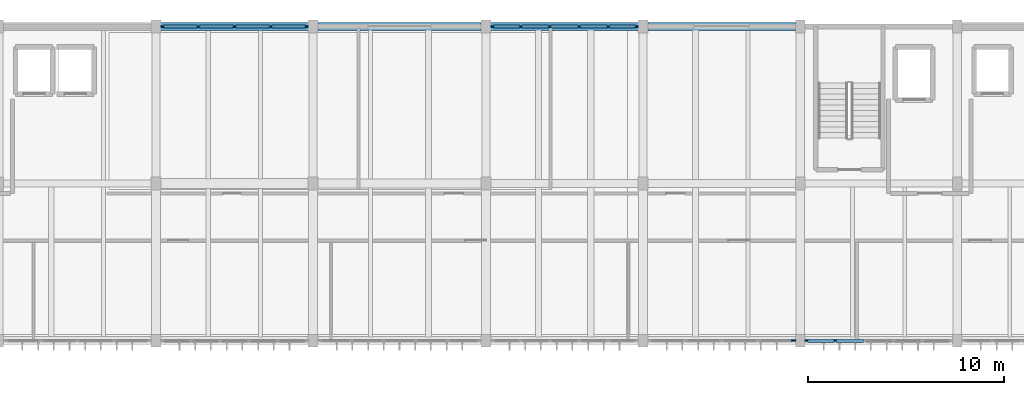
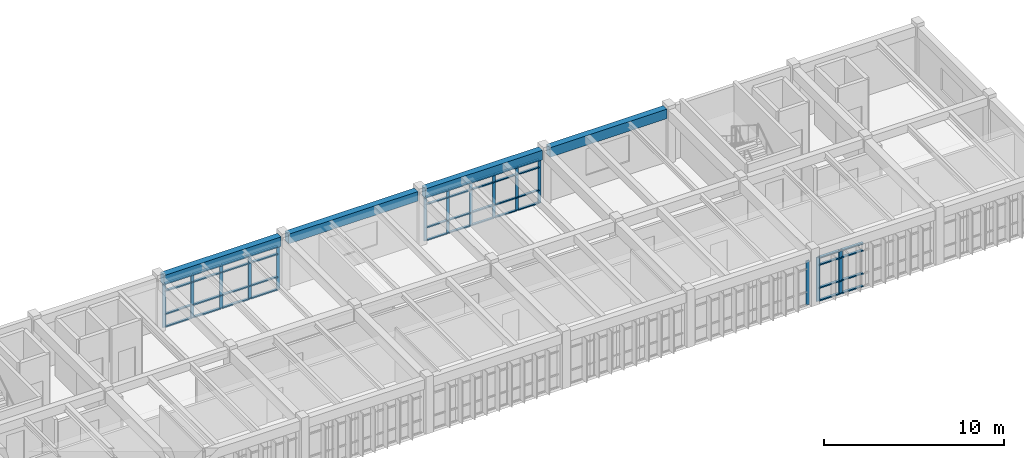
# One storey, part 6 of 15: 58 members, 4 beams, 4 elements without a shape of their own.
"""IFC4 building model written with IfcOpenShell, lengths in metres."""

from ifc_helpers import new_model, si_unit, direction, frame, origin, origin_2d, place, context, subcontext, project, spatial, rectangle, extrude, material, material_profile, profile_set, type_object, element, aggregate, save


model = new_model("IFC4")

# Units and contexts
model_context = context("Model", 3, precision=1e-05, world=origin(), true_north=direction((0.0, 1.0)))
body_context = subcontext(model_context, "Body", "Model", "MODEL_VIEW")
ifc_project = project(units=[si_unit("LENGTHUNIT", "METRE"), si_unit("AREAUNIT", "SQUARE_METRE"), si_unit("VOLUMEUNIT", "CUBIC_METRE"), si_unit("PLANEANGLEUNIT", "RADIAN"), si_unit("MASSUNIT", "GRAM", prefix="KILO")], contexts=[model_context])

# Site, building, storey
site_placement = place(None, origin())
site = spatial("IfcSite", under=ifc_project, at=site_placement, CompositionType="ELEMENT")
building_placement = place(site_placement, origin())
building = spatial("IfcBuilding", under=site, at=building_placement, Name="Tlaxcora Railside Police Headquarters", CompositionType="ELEMENT")
storey_placement = place(building_placement, frame((0.0, 0.0, 25.800048828125)))
storey = spatial("IfcBuildingStorey", under=building, at=storey_placement, Name="L06", CompositionType="ELEMENT", Elevation=25.800048828125)

# Curtain wall, members
ifc_material_1 = material(Name="Thermally broken low-E insulated glazing", Category="glass")
curtain_wall_type_1 = type_object("IfcCurtainWallType", Name="Unitised Curtain Wall Assembly CW-23", PredefinedType="NOTDEFINED", material=ifc_material_1)
curtain_wall_1_placement = place(storey_placement, origin())
curtain_wall_1 = element("IfcCurtainWall", 1, at=curtain_wall_1_placement, inside=storey, type_object=curtain_wall_type_1, Name="V5 L06 curtain wall 128", PredefinedType="NOTDEFINED")
ifc_material_2 = material(Name="Anodised aluminium framing", Category="aluminium")
ifc_material_profile_1 = material_profile(ifc_material_2, rectangle(XDim=0.080078125, YDim=0.219970703125, at=origin_2d()), Name="AL80X220")
ifc_profile_set_1 = profile_set([ifc_material_profile_1], Name="Anodised aluminium framing")
member_type_1 = type_object("IfcMemberType", Name="Curtain Wall Mullion CW-31", PredefinedType="MULLION", material=ifc_profile_set_1)
member_1_placement = place(storey_placement, frame((70.340087890625, 76.800048828125, 0.0), z_axis=(0.0, 0.0, 1.0), x_axis=(0.0, 1.0, 0.0)))
member_1 = element("IfcMember", 2, at=member_1_placement, type_object=member_type_1, Name="CW mullion 1", PredefinedType="MULLION", context=body_context, shape_type="SweptSolid", body=[
    extrude(rectangle(XDim=0.080078125, YDim=0.219970703125, at=origin_2d()), origin(), (0.0, 0.0, 1.0), 2.989990234375),
])
member_2_placement = place(storey_placement, frame((71.780029296875, 76.800048828125, 0.0), z_axis=(0.0, 0.0, 1.0), x_axis=(0.0, 1.0, 0.0)))
member_2 = element("IfcMember", 3, at=member_2_placement, type_object=member_type_1, Name="CW mullion 2", PredefinedType="MULLION", context=body_context, shape_type="SweptSolid", body=[
    extrude(rectangle(XDim=0.080078125, YDim=0.219970703125, at=origin_2d()), origin(), (0.0, 0.0, 1.0), 2.989990234375),
])

curtain_wall_type_2 = type_object("IfcCurtainWallType", Name="Unitised Curtain Wall Assembly CW-15", PredefinedType="NOTDEFINED", material=ifc_material_1)
curtain_wall_2_placement = place(storey_placement, origin())
curtain_wall_2 = element("IfcCurtainWall", 4, at=curtain_wall_2_placement, inside=storey, type_object=curtain_wall_type_2, Name="V5 L06 curtain wall 130", PredefinedType="NOTDEFINED")
ifc_material_profile_2 = material_profile(ifc_material_2, rectangle(XDim=0.074951171875, YDim=0.199951171875, at=origin_2d()), Name="AL75X200")
ifc_profile_set_2 = profile_set([ifc_material_profile_2], Name="Anodised aluminium framing")
member_type_2 = type_object("IfcMemberType", Name="Curtain Wall Mullion CW-58", PredefinedType="MULLION", material=ifc_profile_set_2)
member_3_placement = place(storey_placement, frame((61.66259765625, 92.800048828125, 0.0), z_axis=(0.0, 0.0, 1.0), x_axis=(0.0, -1.0, 0.0)))
member_3 = element("IfcMember", 5, at=member_3_placement, type_object=member_type_2, Name="CW mullion 1", PredefinedType="MULLION", context=body_context, shape_type="SweptSolid", body=[
    extrude(rectangle(XDim=0.074951171875, YDim=0.199951171875, at=origin_2d()), origin(), (0.0, 0.0, 1.0), 2.989990234375),
])
member_4_placement = place(storey_placement, frame((60.219970703125, 92.800048828125, 0.0), z_axis=(0.0, 0.0, 1.0), x_axis=(0.0, -1.0, 0.0)))
member_4 = element("IfcMember", 6, at=member_4_placement, type_object=member_type_2, Name="CW mullion 2", PredefinedType="MULLION", context=body_context, shape_type="SweptSolid", body=[
    extrude(rectangle(XDim=0.074951171875, YDim=0.199951171875, at=origin_2d()), origin(), (0.0, 0.0, 1.0), 2.989990234375),
])
member_5_placement = place(storey_placement, frame((58.739990234375, 92.800048828125, 0.0), z_axis=(0.0, 0.0, 1.0), x_axis=(0.0, -1.0, 0.0)))
member_5 = element("IfcMember", 7, at=member_5_placement, type_object=member_type_2, Name="CW mullion 3", PredefinedType="MULLION", context=body_context, shape_type="SweptSolid", body=[
    extrude(rectangle(XDim=0.074951171875, YDim=0.199951171875, at=origin_2d()), origin(), (0.0, 0.0, 1.0), 2.989990234375),
])
member_6_placement = place(storey_placement, frame((57.260009765625, 92.800048828125, 0.0), z_axis=(0.0, 0.0, 1.0), x_axis=(0.0, -1.0, 0.0)))
member_6 = element("IfcMember", 8, at=member_6_placement, type_object=member_type_2, Name="CW mullion 4", PredefinedType="MULLION", context=body_context, shape_type="SweptSolid", body=[
    extrude(rectangle(XDim=0.074951171875, YDim=0.199951171875, at=origin_2d()), origin(), (0.0, 0.0, 1.0), 2.989990234375),
])
member_7_placement = place(storey_placement, frame((55.780029296875, 92.800048828125, 0.0), z_axis=(0.0, 0.0, 1.0), x_axis=(0.0, -1.0, 0.0)))
member_7 = element("IfcMember", 9, at=member_7_placement, type_object=member_type_2, Name="CW mullion 5", PredefinedType="MULLION", context=body_context, shape_type="SweptSolid", body=[
    extrude(rectangle(XDim=0.074951171875, YDim=0.199951171875, at=origin_2d()), origin(), (0.0, 0.0, 1.0), 2.989990234375),
])
member_8_placement = place(storey_placement, frame((54.33740234375, 92.800048828125, 0.0), z_axis=(0.0, 0.0, 1.0), x_axis=(0.0, -1.0, 0.0)))
member_8 = element("IfcMember", 10, at=member_8_placement, type_object=member_type_2, Name="CW mullion 6", PredefinedType="MULLION", context=body_context, shape_type="SweptSolid", body=[
    extrude(rectangle(XDim=0.074951171875, YDim=0.199951171875, at=origin_2d()), origin(), (0.0, 0.0, 1.0), 2.989990234375),
])

# Curtain wall, member
curtain_wall_type_3 = type_object("IfcCurtainWallType", Name="Unitised Curtain Wall Assembly CW-83", PredefinedType="NOTDEFINED", material=ifc_material_1)
curtain_wall_3_placement = place(storey_placement, origin())
curtain_wall_3 = element("IfcCurtainWall", 11, at=curtain_wall_3_placement, inside=storey, type_object=curtain_wall_type_3, Name="V5 L06 curtain wall 127", PredefinedType="NOTDEFINED")
ifc_material_profile_3 = material_profile(ifc_material_2, rectangle(XDim=0.080078125, YDim=0.2099609375, at=origin_2d()), Name="AL80X210")
ifc_profile_set_3 = profile_set([ifc_material_profile_3], Name="Anodised aluminium framing")
member_type_3 = type_object("IfcMemberType", Name="Curtain Wall Mullion CW-76", PredefinedType="MULLION", material=ifc_profile_set_3)
member_9_placement = place(storey_placement, frame((69.659912109375, 76.800048828125, 0.0), z_axis=(0.0, 0.0, 1.0), x_axis=(0.0, 1.0, 0.0)))
member_9 = element("IfcMember", 12, at=member_9_placement, type_object=member_type_3, Name="CW mullion 5", PredefinedType="MULLION", context=body_context, shape_type="SweptSolid", body=[
    extrude(rectangle(XDim=0.080078125, YDim=0.2099609375, at=origin_2d()), origin(), (0.0, 0.0, 1.0), 2.989990234375),
])
aggregate(curtain_wall_3, [member_9])

# Curtain wall, members
curtain_wall_4_placement = place(storey_placement, origin())
curtain_wall_4 = element("IfcCurtainWall", 13, at=curtain_wall_4_placement, inside=storey, type_object=curtain_wall_type_3, Name="V5 L06 curtain wall 131", PredefinedType="NOTDEFINED")
member_10_placement = place(storey_placement, frame((44.860107421875, 92.800048828125, 0.0), z_axis=(0.0, 0.0, 1.0), x_axis=(0.0, -1.0, 0.0)))
member_10 = element("IfcMember", 14, at=member_10_placement, type_object=member_type_3, Name="CW mullion 1", PredefinedType="MULLION", context=body_context, shape_type="SweptSolid", body=[
    extrude(rectangle(XDim=0.080078125, YDim=0.2099609375, at=origin_2d()), origin(), (0.0, 0.0, 1.0), 2.989990234375),
])
member_11_placement = place(storey_placement, frame((43.050048828125, 92.800048828125, 0.0), z_axis=(0.0, 0.0, 1.0), x_axis=(0.0, -1.0, 0.0)))
member_11 = element("IfcMember", 15, at=member_11_placement, type_object=member_type_3, Name="CW mullion 2", PredefinedType="MULLION", context=body_context, shape_type="SweptSolid", body=[
    extrude(rectangle(XDim=0.080078125, YDim=0.2099609375, at=origin_2d()), origin(), (0.0, 0.0, 1.0), 2.989990234375),
])
member_12_placement = place(storey_placement, frame((41.199951171875, 92.800048828125, 0.0), z_axis=(0.0, 0.0, 1.0), x_axis=(0.0, -1.0, 0.0)))
member_12 = element("IfcMember", 16, at=member_12_placement, type_object=member_type_3, Name="CW mullion 3", PredefinedType="MULLION", context=body_context, shape_type="SweptSolid", body=[
    extrude(rectangle(XDim=0.080078125, YDim=0.2099609375, at=origin_2d()), origin(), (0.0, 0.0, 1.0), 2.989990234375),
])
member_13_placement = place(storey_placement, frame((39.35009765625, 92.800048828125, 0.0), z_axis=(0.0, 0.0, 1.0), x_axis=(0.0, -1.0, 0.0)))
member_13 = element("IfcMember", 17, at=member_13_placement, type_object=member_type_3, Name="CW mullion 4", PredefinedType="MULLION", context=body_context, shape_type="SweptSolid", body=[
    extrude(rectangle(XDim=0.080078125, YDim=0.2099609375, at=origin_2d()), origin(), (0.0, 0.0, 1.0), 2.989990234375),
])
member_14_placement = place(storey_placement, frame((37.5400390625, 92.800048828125, 0.0), z_axis=(0.0, 0.0, 1.0), x_axis=(0.0, -1.0, 0.0)))
member_14 = element("IfcMember", 18, at=member_14_placement, type_object=member_type_3, Name="CW mullion 5", PredefinedType="MULLION", context=body_context, shape_type="SweptSolid", body=[
    extrude(rectangle(XDim=0.080078125, YDim=0.2099609375, at=origin_2d()), origin(), (0.0, 0.0, 1.0), 2.989990234375),
])

# Member
ifc_material_profile_4 = material_profile(ifc_material_2, rectangle(XDim=0.14990234375, YDim=0.074951171875, at=origin_2d()), Name="AL75X150")
ifc_profile_set_4 = profile_set([ifc_material_profile_4], Name="Anodised aluminium framing")
member_type_4 = type_object("IfcMemberType", Name="Curtain Wall Transom CW-28", PredefinedType="USERDEFINED", material=ifc_profile_set_4)
member_15_placement = place(storey_placement, frame((61.625, 92.800048828125, 0.037353515625), z_axis=(-1.0, 0.0, 0.0), x_axis=(0.0, -1.0, 0.0)))
member_15 = element("IfcMember", 19, at=member_15_placement, type_object=member_type_4, Name="CW transom 1.1", ObjectType="TRANSOM", PredefinedType="USERDEFINED", context=body_context, shape_type="SweptSolid", body=[
    extrude(rectangle(XDim=0.14990234375, YDim=0.074951171875, at=origin_2d()), origin(), (0.0, 0.0, 1.0), 1.367431640625),
])

member_16_placement = place(storey_placement, frame((61.625, 92.800048828125, 0.89990234375), z_axis=(-1.0, 0.0, 0.0), x_axis=(0.0, -1.0, 0.0)))
member_16 = element("IfcMember", 20, at=member_16_placement, type_object=member_type_4, Name="CW transom 1.2", ObjectType="TRANSOM", PredefinedType="USERDEFINED", context=body_context, shape_type="SweptSolid", body=[
    extrude(rectangle(XDim=0.14990234375, YDim=0.074951171875, at=origin_2d()), origin(), (0.0, 0.0, 1.0), 1.367431640625),
])

member_17_placement = place(storey_placement, frame((61.625, 92.800048828125, 2.4599609375), z_axis=(-1.0, 0.0, 0.0), x_axis=(0.0, -1.0, 0.0)))
member_17 = element("IfcMember", 21, at=member_17_placement, type_object=member_type_4, Name="CW transom 1.3", ObjectType="TRANSOM", PredefinedType="USERDEFINED", context=body_context, shape_type="SweptSolid", body=[
    extrude(rectangle(XDim=0.14990234375, YDim=0.074951171875, at=origin_2d()), origin(), (0.0, 0.0, 1.0), 1.367431640625),
])

member_18_placement = place(storey_placement, frame((61.625, 92.800048828125, 2.952392578125), z_axis=(-1.0, 0.0, 0.0), x_axis=(0.0, -1.0, 0.0)))
member_18 = element("IfcMember", 22, at=member_18_placement, type_object=member_type_4, Name="CW transom 1.4", ObjectType="TRANSOM", PredefinedType="USERDEFINED", context=body_context, shape_type="SweptSolid", body=[
    extrude(rectangle(XDim=0.14990234375, YDim=0.074951171875, at=origin_2d()), origin(), (0.0, 0.0, 1.0), 1.367431640625),
])

member_19_placement = place(storey_placement, frame((60.1826171875, 92.800048828125, 0.037353515625), z_axis=(-1.0, 0.0, 0.0), x_axis=(0.0, -1.0, 0.0)))
member_19 = element("IfcMember", 23, at=member_19_placement, type_object=member_type_4, Name="CW transom 2.1", ObjectType="TRANSOM", PredefinedType="USERDEFINED", context=body_context, shape_type="SweptSolid", body=[
    extrude(rectangle(XDim=0.14990234375, YDim=0.074951171875, at=origin_2d()), origin(), (0.0, 0.0, 1.0), 1.405029296875),
])

member_20_placement = place(storey_placement, frame((60.1826171875, 92.800048828125, 0.89990234375), z_axis=(-1.0, 0.0, 0.0), x_axis=(0.0, -1.0, 0.0)))
member_20 = element("IfcMember", 24, at=member_20_placement, type_object=member_type_4, Name="CW transom 2.2", ObjectType="TRANSOM", PredefinedType="USERDEFINED", context=body_context, shape_type="SweptSolid", body=[
    extrude(rectangle(XDim=0.14990234375, YDim=0.074951171875, at=origin_2d()), origin(), (0.0, 0.0, 1.0), 1.405029296875),
])

member_21_placement = place(storey_placement, frame((60.1826171875, 92.800048828125, 2.4599609375), z_axis=(-1.0, 0.0, 0.0), x_axis=(0.0, -1.0, 0.0)))
member_21 = element("IfcMember", 25, at=member_21_placement, type_object=member_type_4, Name="CW transom 2.3", ObjectType="TRANSOM", PredefinedType="USERDEFINED", context=body_context, shape_type="SweptSolid", body=[
    extrude(rectangle(XDim=0.14990234375, YDim=0.074951171875, at=origin_2d()), origin(), (0.0, 0.0, 1.0), 1.405029296875),
])

member_22_placement = place(storey_placement, frame((60.1826171875, 92.800048828125, 2.952392578125), z_axis=(-1.0, 0.0, 0.0), x_axis=(0.0, -1.0, 0.0)))
member_22 = element("IfcMember", 26, at=member_22_placement, type_object=member_type_4, Name="CW transom 2.4", ObjectType="TRANSOM", PredefinedType="USERDEFINED", context=body_context, shape_type="SweptSolid", body=[
    extrude(rectangle(XDim=0.14990234375, YDim=0.074951171875, at=origin_2d()), origin(), (0.0, 0.0, 1.0), 1.405029296875),
])

member_23_placement = place(storey_placement, frame((58.702392578125, 92.800048828125, 0.037353515625), z_axis=(-1.0, 0.0, 0.0), x_axis=(0.0, -1.0, 0.0)))
member_23 = element("IfcMember", 27, at=member_23_placement, type_object=member_type_4, Name="CW transom 3.1", ObjectType="TRANSOM", PredefinedType="USERDEFINED", context=body_context, shape_type="SweptSolid", body=[
    extrude(rectangle(XDim=0.14990234375, YDim=0.074951171875, at=origin_2d()), origin(), (0.0, 0.0, 1.0), 1.40478515625),
])

member_24_placement = place(storey_placement, frame((58.702392578125, 92.800048828125, 0.89990234375), z_axis=(-1.0, 0.0, 0.0), x_axis=(0.0, -1.0, 0.0)))
member_24 = element("IfcMember", 28, at=member_24_placement, type_object=member_type_4, Name="CW transom 3.2", ObjectType="TRANSOM", PredefinedType="USERDEFINED", context=body_context, shape_type="SweptSolid", body=[
    extrude(rectangle(XDim=0.14990234375, YDim=0.074951171875, at=origin_2d()), origin(), (0.0, 0.0, 1.0), 1.40478515625),
])

member_25_placement = place(storey_placement, frame((58.702392578125, 92.800048828125, 2.4599609375), z_axis=(-1.0, 0.0, 0.0), x_axis=(0.0, -1.0, 0.0)))
member_25 = element("IfcMember", 29, at=member_25_placement, type_object=member_type_4, Name="CW transom 3.3", ObjectType="TRANSOM", PredefinedType="USERDEFINED", context=body_context, shape_type="SweptSolid", body=[
    extrude(rectangle(XDim=0.14990234375, YDim=0.074951171875, at=origin_2d()), origin(), (0.0, 0.0, 1.0), 1.40478515625),
])

member_26_placement = place(storey_placement, frame((58.702392578125, 92.800048828125, 2.952392578125), z_axis=(-1.0, 0.0, 0.0), x_axis=(0.0, -1.0, 0.0)))
member_26 = element("IfcMember", 30, at=member_26_placement, type_object=member_type_4, Name="CW transom 3.4", ObjectType="TRANSOM", PredefinedType="USERDEFINED", context=body_context, shape_type="SweptSolid", body=[
    extrude(rectangle(XDim=0.14990234375, YDim=0.074951171875, at=origin_2d()), origin(), (0.0, 0.0, 1.0), 1.40478515625),
])

member_27_placement = place(storey_placement, frame((57.222412109375, 92.800048828125, 0.037353515625), z_axis=(-1.0, 0.0, 0.0), x_axis=(0.0, -1.0, 0.0)))
member_27 = element("IfcMember", 31, at=member_27_placement, type_object=member_type_4, Name="CW transom 4.1", ObjectType="TRANSOM", PredefinedType="USERDEFINED", context=body_context, shape_type="SweptSolid", body=[
    extrude(rectangle(XDim=0.14990234375, YDim=0.074951171875, at=origin_2d()), origin(), (0.0, 0.0, 1.0), 1.405029296875),
])

member_28_placement = place(storey_placement, frame((57.222412109375, 92.800048828125, 0.89990234375), z_axis=(-1.0, 0.0, 0.0), x_axis=(0.0, -1.0, 0.0)))
member_28 = element("IfcMember", 32, at=member_28_placement, type_object=member_type_4, Name="CW transom 4.2", ObjectType="TRANSOM", PredefinedType="USERDEFINED", context=body_context, shape_type="SweptSolid", body=[
    extrude(rectangle(XDim=0.14990234375, YDim=0.074951171875, at=origin_2d()), origin(), (0.0, 0.0, 1.0), 1.405029296875),
])

member_29_placement = place(storey_placement, frame((57.222412109375, 92.800048828125, 2.4599609375), z_axis=(-1.0, 0.0, 0.0), x_axis=(0.0, -1.0, 0.0)))
member_29 = element("IfcMember", 33, at=member_29_placement, type_object=member_type_4, Name="CW transom 4.3", ObjectType="TRANSOM", PredefinedType="USERDEFINED", context=body_context, shape_type="SweptSolid", body=[
    extrude(rectangle(XDim=0.14990234375, YDim=0.074951171875, at=origin_2d()), origin(), (0.0, 0.0, 1.0), 1.405029296875),
])

member_30_placement = place(storey_placement, frame((57.222412109375, 92.800048828125, 2.952392578125), z_axis=(-1.0, 0.0, 0.0), x_axis=(0.0, -1.0, 0.0)))
member_30 = element("IfcMember", 34, at=member_30_placement, type_object=member_type_4, Name="CW transom 4.4", ObjectType="TRANSOM", PredefinedType="USERDEFINED", context=body_context, shape_type="SweptSolid", body=[
    extrude(rectangle(XDim=0.14990234375, YDim=0.074951171875, at=origin_2d()), origin(), (0.0, 0.0, 1.0), 1.405029296875),
])

member_31_placement = place(storey_placement, frame((55.742431640625, 92.800048828125, 0.037353515625), z_axis=(-1.0, 0.0, 0.0), x_axis=(0.0, -1.0, 0.0)))
member_31 = element("IfcMember", 35, at=member_31_placement, type_object=member_type_4, Name="CW transom 5.1", ObjectType="TRANSOM", PredefinedType="USERDEFINED", context=body_context, shape_type="SweptSolid", body=[
    extrude(rectangle(XDim=0.14990234375, YDim=0.074951171875, at=origin_2d()), origin(), (0.0, 0.0, 1.0), 1.367431640625),
])

member_32_placement = place(storey_placement, frame((55.742431640625, 92.800048828125, 0.89990234375), z_axis=(-1.0, 0.0, 0.0), x_axis=(0.0, -1.0, 0.0)))
member_32 = element("IfcMember", 36, at=member_32_placement, type_object=member_type_4, Name="CW transom 5.2", ObjectType="TRANSOM", PredefinedType="USERDEFINED", context=body_context, shape_type="SweptSolid", body=[
    extrude(rectangle(XDim=0.14990234375, YDim=0.074951171875, at=origin_2d()), origin(), (0.0, 0.0, 1.0), 1.367431640625),
])

member_33_placement = place(storey_placement, frame((55.742431640625, 92.800048828125, 2.4599609375), z_axis=(-1.0, 0.0, 0.0), x_axis=(0.0, -1.0, 0.0)))
member_33 = element("IfcMember", 37, at=member_33_placement, type_object=member_type_4, Name="CW transom 5.3", ObjectType="TRANSOM", PredefinedType="USERDEFINED", context=body_context, shape_type="SweptSolid", body=[
    extrude(rectangle(XDim=0.14990234375, YDim=0.074951171875, at=origin_2d()), origin(), (0.0, 0.0, 1.0), 1.367431640625),
])

member_34_placement = place(storey_placement, frame((55.742431640625, 92.800048828125, 2.952392578125), z_axis=(-1.0, 0.0, 0.0), x_axis=(0.0, -1.0, 0.0)))
member_34 = element("IfcMember", 38, at=member_34_placement, type_object=member_type_4, Name="CW transom 5.4", ObjectType="TRANSOM", PredefinedType="USERDEFINED", context=body_context, shape_type="SweptSolid", body=[
    extrude(rectangle(XDim=0.14990234375, YDim=0.074951171875, at=origin_2d()), origin(), (0.0, 0.0, 1.0), 1.367431640625),
])

aggregate(curtain_wall_2, [member_3, member_4, member_5, member_6, member_7, member_8, member_15, member_16, member_17, member_18, member_19, member_20, member_21, member_22, member_23, member_24, member_25, member_26, member_27, member_28, member_29, member_30, member_31, member_32, member_33, member_34])

ifc_material_profile_5 = material_profile(ifc_material_2, rectangle(XDim=0.1650390625, YDim=0.080078125, at=origin_2d()), Name="AL80X165")
ifc_profile_set_5 = profile_set([ifc_material_profile_5], Name="Anodised aluminium framing")
member_type_5 = type_object("IfcMemberType", Name="Curtain Wall Transom CW-62", PredefinedType="USERDEFINED", material=ifc_profile_set_5)
member_35_placement = place(storey_placement, frame((70.3798828125, 76.800048828125, 0.0400390625), z_axis=(1.0, 0.0, 0.0), x_axis=(0.0, 1.0, 0.0)))
member_35 = element("IfcMember", 39, at=member_35_placement, type_object=member_type_5, Name="CW transom 1.1", ObjectType="TRANSOM", PredefinedType="USERDEFINED", context=body_context, shape_type="SweptSolid", body=[
    extrude(rectangle(XDim=0.1650390625, YDim=0.080078125, at=origin_2d()), origin(), (0.0, 0.0, 1.0), 1.360107421875),
])

member_36_placement = place(storey_placement, frame((70.3798828125, 76.800048828125, 0.89990234375), z_axis=(1.0, 0.0, 0.0), x_axis=(0.0, 1.0, 0.0)))
member_36 = element("IfcMember", 40, at=member_36_placement, type_object=member_type_5, Name="CW transom 1.2", ObjectType="TRANSOM", PredefinedType="USERDEFINED", context=body_context, shape_type="SweptSolid", body=[
    extrude(rectangle(XDim=0.1650390625, YDim=0.080078125, at=origin_2d()), origin(), (0.0, 0.0, 1.0), 1.360107421875),
])

member_37_placement = place(storey_placement, frame((70.3798828125, 76.800048828125, 2.4599609375), z_axis=(1.0, 0.0, 0.0), x_axis=(0.0, 1.0, 0.0)))
member_37 = element("IfcMember", 41, at=member_37_placement, type_object=member_type_5, Name="CW transom 1.3", ObjectType="TRANSOM", PredefinedType="USERDEFINED", context=body_context, shape_type="SweptSolid", body=[
    extrude(rectangle(XDim=0.1650390625, YDim=0.080078125, at=origin_2d()), origin(), (0.0, 0.0, 1.0), 1.360107421875),
])

member_38_placement = place(storey_placement, frame((70.3798828125, 76.800048828125, 2.949951171875), z_axis=(1.0, 0.0, 0.0), x_axis=(0.0, 1.0, 0.0)))
member_38 = element("IfcMember", 42, at=member_38_placement, type_object=member_type_5, Name="CW transom 1.4", ObjectType="TRANSOM", PredefinedType="USERDEFINED", context=body_context, shape_type="SweptSolid", body=[
    extrude(rectangle(XDim=0.1650390625, YDim=0.080078125, at=origin_2d()), origin(), (0.0, 0.0, 1.0), 1.360107421875),
])

member_39_placement = place(storey_placement, frame((71.820068359375, 76.800048828125, 0.0400390625), z_axis=(1.0, 0.0, 0.0), x_axis=(0.0, 1.0, 0.0)))
member_39 = element("IfcMember", 43, at=member_39_placement, type_object=member_type_5, Name="CW transom 2.1", ObjectType="TRANSOM", PredefinedType="USERDEFINED", context=body_context, shape_type="SweptSolid", body=[
    extrude(rectangle(XDim=0.1650390625, YDim=0.080078125, at=origin_2d()), origin(), (0.0, 0.0, 1.0), 1.39990234375),
])

member_40_placement = place(storey_placement, frame((71.820068359375, 76.800048828125, 0.89990234375), z_axis=(1.0, 0.0, 0.0), x_axis=(0.0, 1.0, 0.0)))
member_40 = element("IfcMember", 44, at=member_40_placement, type_object=member_type_5, Name="CW transom 2.2", ObjectType="TRANSOM", PredefinedType="USERDEFINED", context=body_context, shape_type="SweptSolid", body=[
    extrude(rectangle(XDim=0.1650390625, YDim=0.080078125, at=origin_2d()), origin(), (0.0, 0.0, 1.0), 1.39990234375),
])

member_41_placement = place(storey_placement, frame((71.820068359375, 76.800048828125, 2.4599609375), z_axis=(1.0, 0.0, 0.0), x_axis=(0.0, 1.0, 0.0)))
member_41 = element("IfcMember", 45, at=member_41_placement, type_object=member_type_5, Name="CW transom 2.3", ObjectType="TRANSOM", PredefinedType="USERDEFINED", context=body_context, shape_type="SweptSolid", body=[
    extrude(rectangle(XDim=0.1650390625, YDim=0.080078125, at=origin_2d()), origin(), (0.0, 0.0, 1.0), 1.39990234375),
])

member_42_placement = place(storey_placement, frame((71.820068359375, 76.800048828125, 2.949951171875), z_axis=(1.0, 0.0, 0.0), x_axis=(0.0, 1.0, 0.0)))
member_42 = element("IfcMember", 46, at=member_42_placement, type_object=member_type_5, Name="CW transom 2.4", ObjectType="TRANSOM", PredefinedType="USERDEFINED", context=body_context, shape_type="SweptSolid", body=[
    extrude(rectangle(XDim=0.1650390625, YDim=0.080078125, at=origin_2d()), origin(), (0.0, 0.0, 1.0), 1.39990234375),
])

aggregate(curtain_wall_1, [member_1, member_2, member_35, member_36, member_37, member_38, member_39, member_40, member_41, member_42])

ifc_material_profile_6 = material_profile(ifc_material_2, rectangle(XDim=0.159912109375, YDim=0.080078125, at=origin_2d()), Name="AL80X160")
ifc_profile_set_6 = profile_set([ifc_material_profile_6], Name="Anodised aluminium framing")
member_type_6 = type_object("IfcMemberType", Name="Curtain Wall Transom CW-82", PredefinedType="USERDEFINED", material=ifc_profile_set_6)
member_43_placement = place(storey_placement, frame((44.820068359375, 92.800048828125, 0.0400390625), z_axis=(-1.0, 0.0, 0.0), x_axis=(0.0, -1.0, 0.0)))
member_43 = element("IfcMember", 47, at=member_43_placement, type_object=member_type_6, Name="CW transom 1.1", ObjectType="TRANSOM", PredefinedType="USERDEFINED", context=body_context, shape_type="SweptSolid", body=[
    extrude(rectangle(XDim=0.159912109375, YDim=0.080078125, at=origin_2d()), origin(), (0.0, 0.0, 1.0), 1.72998046875),
])

member_44_placement = place(storey_placement, frame((44.820068359375, 92.800048828125, 0.89990234375), z_axis=(-1.0, 0.0, 0.0), x_axis=(0.0, -1.0, 0.0)))
member_44 = element("IfcMember", 48, at=member_44_placement, type_object=member_type_6, Name="CW transom 1.2", ObjectType="TRANSOM", PredefinedType="USERDEFINED", context=body_context, shape_type="SweptSolid", body=[
    extrude(rectangle(XDim=0.159912109375, YDim=0.080078125, at=origin_2d()), origin(), (0.0, 0.0, 1.0), 1.72998046875),
])

member_45_placement = place(storey_placement, frame((44.820068359375, 92.800048828125, 2.4599609375), z_axis=(-1.0, 0.0, 0.0), x_axis=(0.0, -1.0, 0.0)))
member_45 = element("IfcMember", 49, at=member_45_placement, type_object=member_type_6, Name="CW transom 1.3", ObjectType="TRANSOM", PredefinedType="USERDEFINED", context=body_context, shape_type="SweptSolid", body=[
    extrude(rectangle(XDim=0.159912109375, YDim=0.080078125, at=origin_2d()), origin(), (0.0, 0.0, 1.0), 1.72998046875),
])

member_46_placement = place(storey_placement, frame((44.820068359375, 92.800048828125, 2.949951171875), z_axis=(-1.0, 0.0, 0.0), x_axis=(0.0, -1.0, 0.0)))
member_46 = element("IfcMember", 50, at=member_46_placement, type_object=member_type_6, Name="CW transom 1.4", ObjectType="TRANSOM", PredefinedType="USERDEFINED", context=body_context, shape_type="SweptSolid", body=[
    extrude(rectangle(XDim=0.159912109375, YDim=0.080078125, at=origin_2d()), origin(), (0.0, 0.0, 1.0), 1.72998046875),
])

member_47_placement = place(storey_placement, frame((43.010009765625, 92.800048828125, 0.0400390625), z_axis=(-1.0, 0.0, 0.0), x_axis=(0.0, -1.0, 0.0)))
member_47 = element("IfcMember", 51, at=member_47_placement, type_object=member_type_6, Name="CW transom 2.1", ObjectType="TRANSOM", PredefinedType="USERDEFINED", context=body_context, shape_type="SweptSolid", body=[
    extrude(rectangle(XDim=0.159912109375, YDim=0.080078125, at=origin_2d()), origin(), (0.0, 0.0, 1.0), 1.77001953125),
])

member_48_placement = place(storey_placement, frame((43.010009765625, 92.800048828125, 0.89990234375), z_axis=(-1.0, 0.0, 0.0), x_axis=(0.0, -1.0, 0.0)))
member_48 = element("IfcMember", 52, at=member_48_placement, type_object=member_type_6, Name="CW transom 2.2", ObjectType="TRANSOM", PredefinedType="USERDEFINED", context=body_context, shape_type="SweptSolid", body=[
    extrude(rectangle(XDim=0.159912109375, YDim=0.080078125, at=origin_2d()), origin(), (0.0, 0.0, 1.0), 1.77001953125),
])

member_49_placement = place(storey_placement, frame((43.010009765625, 92.800048828125, 2.4599609375), z_axis=(-1.0, 0.0, 0.0), x_axis=(0.0, -1.0, 0.0)))
member_49 = element("IfcMember", 53, at=member_49_placement, type_object=member_type_6, Name="CW transom 2.3", ObjectType="TRANSOM", PredefinedType="USERDEFINED", context=body_context, shape_type="SweptSolid", body=[
    extrude(rectangle(XDim=0.159912109375, YDim=0.080078125, at=origin_2d()), origin(), (0.0, 0.0, 1.0), 1.77001953125),
])

member_50_placement = place(storey_placement, frame((43.010009765625, 92.800048828125, 2.949951171875), z_axis=(-1.0, 0.0, 0.0), x_axis=(0.0, -1.0, 0.0)))
member_50 = element("IfcMember", 54, at=member_50_placement, type_object=member_type_6, Name="CW transom 2.4", ObjectType="TRANSOM", PredefinedType="USERDEFINED", context=body_context, shape_type="SweptSolid", body=[
    extrude(rectangle(XDim=0.159912109375, YDim=0.080078125, at=origin_2d()), origin(), (0.0, 0.0, 1.0), 1.77001953125),
])

member_51_placement = place(storey_placement, frame((41.159912109375, 92.800048828125, 0.0400390625), z_axis=(-1.0, 0.0, 0.0), x_axis=(0.0, -1.0, 0.0)))
member_51 = element("IfcMember", 55, at=member_51_placement, type_object=member_type_6, Name="CW transom 3.1", ObjectType="TRANSOM", PredefinedType="USERDEFINED", context=body_context, shape_type="SweptSolid", body=[
    extrude(rectangle(XDim=0.159912109375, YDim=0.080078125, at=origin_2d()), origin(), (0.0, 0.0, 1.0), 1.77001953125),
])

member_52_placement = place(storey_placement, frame((41.159912109375, 92.800048828125, 0.89990234375), z_axis=(-1.0, 0.0, 0.0), x_axis=(0.0, -1.0, 0.0)))
member_52 = element("IfcMember", 56, at=member_52_placement, type_object=member_type_6, Name="CW transom 3.2", ObjectType="TRANSOM", PredefinedType="USERDEFINED", context=body_context, shape_type="SweptSolid", body=[
    extrude(rectangle(XDim=0.159912109375, YDim=0.080078125, at=origin_2d()), origin(), (0.0, 0.0, 1.0), 1.77001953125),
])

member_53_placement = place(storey_placement, frame((41.159912109375, 92.800048828125, 2.4599609375), z_axis=(-1.0, 0.0, 0.0), x_axis=(0.0, -1.0, 0.0)))
member_53 = element("IfcMember", 57, at=member_53_placement, type_object=member_type_6, Name="CW transom 3.3", ObjectType="TRANSOM", PredefinedType="USERDEFINED", context=body_context, shape_type="SweptSolid", body=[
    extrude(rectangle(XDim=0.159912109375, YDim=0.080078125, at=origin_2d()), origin(), (0.0, 0.0, 1.0), 1.77001953125),
])

member_54_placement = place(storey_placement, frame((41.159912109375, 92.800048828125, 2.949951171875), z_axis=(-1.0, 0.0, 0.0), x_axis=(0.0, -1.0, 0.0)))
member_54 = element("IfcMember", 58, at=member_54_placement, type_object=member_type_6, Name="CW transom 3.4", ObjectType="TRANSOM", PredefinedType="USERDEFINED", context=body_context, shape_type="SweptSolid", body=[
    extrude(rectangle(XDim=0.159912109375, YDim=0.080078125, at=origin_2d()), origin(), (0.0, 0.0, 1.0), 1.77001953125),
])

member_55_placement = place(storey_placement, frame((39.31005859375, 92.800048828125, 0.0400390625), z_axis=(-1.0, 0.0, 0.0), x_axis=(0.0, -1.0, 0.0)))
member_55 = element("IfcMember", 59, at=member_55_placement, type_object=member_type_6, Name="CW transom 4.1", ObjectType="TRANSOM", PredefinedType="USERDEFINED", context=body_context, shape_type="SweptSolid", body=[
    extrude(rectangle(XDim=0.159912109375, YDim=0.080078125, at=origin_2d()), origin(), (0.0, 0.0, 1.0), 1.72998046875),
])

member_56_placement = place(storey_placement, frame((39.31005859375, 92.800048828125, 0.89990234375), z_axis=(-1.0, 0.0, 0.0), x_axis=(0.0, -1.0, 0.0)))
member_56 = element("IfcMember", 60, at=member_56_placement, type_object=member_type_6, Name="CW transom 4.2", ObjectType="TRANSOM", PredefinedType="USERDEFINED", context=body_context, shape_type="SweptSolid", body=[
    extrude(rectangle(XDim=0.159912109375, YDim=0.080078125, at=origin_2d()), origin(), (0.0, 0.0, 1.0), 1.72998046875),
])

member_57_placement = place(storey_placement, frame((39.31005859375, 92.800048828125, 2.4599609375), z_axis=(-1.0, 0.0, 0.0), x_axis=(0.0, -1.0, 0.0)))
member_57 = element("IfcMember", 61, at=member_57_placement, type_object=member_type_6, Name="CW transom 4.3", ObjectType="TRANSOM", PredefinedType="USERDEFINED", context=body_context, shape_type="SweptSolid", body=[
    extrude(rectangle(XDim=0.159912109375, YDim=0.080078125, at=origin_2d()), origin(), (0.0, 0.0, 1.0), 1.72998046875),
])

member_58_placement = place(storey_placement, frame((39.31005859375, 92.800048828125, 2.949951171875), z_axis=(-1.0, 0.0, 0.0), x_axis=(0.0, -1.0, 0.0)))
member_58 = element("IfcMember", 62, at=member_58_placement, type_object=member_type_6, Name="CW transom 4.4", ObjectType="TRANSOM", PredefinedType="USERDEFINED", context=body_context, shape_type="SweptSolid", body=[
    extrude(rectangle(XDim=0.159912109375, YDim=0.080078125, at=origin_2d()), origin(), (0.0, 0.0, 1.0), 1.72998046875),
])

aggregate(curtain_wall_4, [member_10, member_11, member_12, member_13, member_14, member_43, member_44, member_45, member_46, member_47, member_48, member_49, member_50, member_51, member_52, member_53, member_54, member_55, member_56, member_57, member_58])

# Beams
ifc_material_3 = material(Name="Concrete C40/50", Category="concrete")
ifc_material_profile_7 = material_profile(ifc_material_3, rectangle(XDim=0.39990234375, YDim=0.64990234375, at=origin_2d()), Name="RC400X650")
ifc_profile_set_7 = profile_set([ifc_material_profile_7], Name="Concrete C40/50")
beam_type = type_object("IfcBeamType", Name="Perimeter Spandrel Beam BM-46", PredefinedType="SPANDREL", material=ifc_profile_set_7)
beam_1_placement = place(storey_placement, frame((37.43994140625, 92.800048828125, 3.3349609375), z_axis=(1.0, 0.0, 0.0), x_axis=(0.0, 1.0, 0.0)))
element("IfcBeam", 63, at=beam_1_placement, inside=storey, type_object=beam_type, Name="V5 L06 X-girder Y=92.8", PredefinedType="SPANDREL", context=body_context, shape_type="SweptSolid", body=[
    extrude(rectangle(XDim=0.39990234375, YDim=0.64990234375, at=origin_2d()), origin(), (0.0, 0.0, 1.0), 7.52001953125),
])
beam_2_placement = place(storey_placement, frame((45.43994140625, 92.800048828125, 3.3349609375), z_axis=(1.0, 0.0, 0.0), x_axis=(0.0, 1.0, 0.0)))
element("IfcBeam", 64, at=beam_2_placement, inside=storey, type_object=beam_type, Name="V5 L06 X-girder Y=92.8", PredefinedType="SPANDREL", context=body_context, shape_type="SweptSolid", body=[
    extrude(rectangle(XDim=0.39990234375, YDim=0.64990234375, at=origin_2d()), origin(), (0.0, 0.0, 1.0), 8.320068359375),
])
for number, where, z_axis, x_axis, name in (
    (65, (54.239990234375, 92.800048828125, 3.3349609375), (1.0, 0.0, 0.0), (0.0, 1.0, 0.0), "V5 L06 X-girder Y=92.8"),
    (66, (62.239990234375, 92.800048828125, 3.3349609375), (1.0, 0.0, 0.0), (0.0, 1.0, 0.0), "V5 L06 X-girder Y=92.8"),
):
    element("IfcBeam", number, at=place(storey_placement, frame(where, z_axis=z_axis, x_axis=x_axis)), inside=storey, type_object=beam_type, Name=name, PredefinedType="SPANDREL", context=body_context, shape_type="SweptSolid", body=[
        extrude(rectangle(XDim=0.39990234375, YDim=0.64990234375, at=origin_2d()), origin(), (0.0, 0.0, 1.0), 7.52001953125),
    ])

save(model, "model.ifc")
